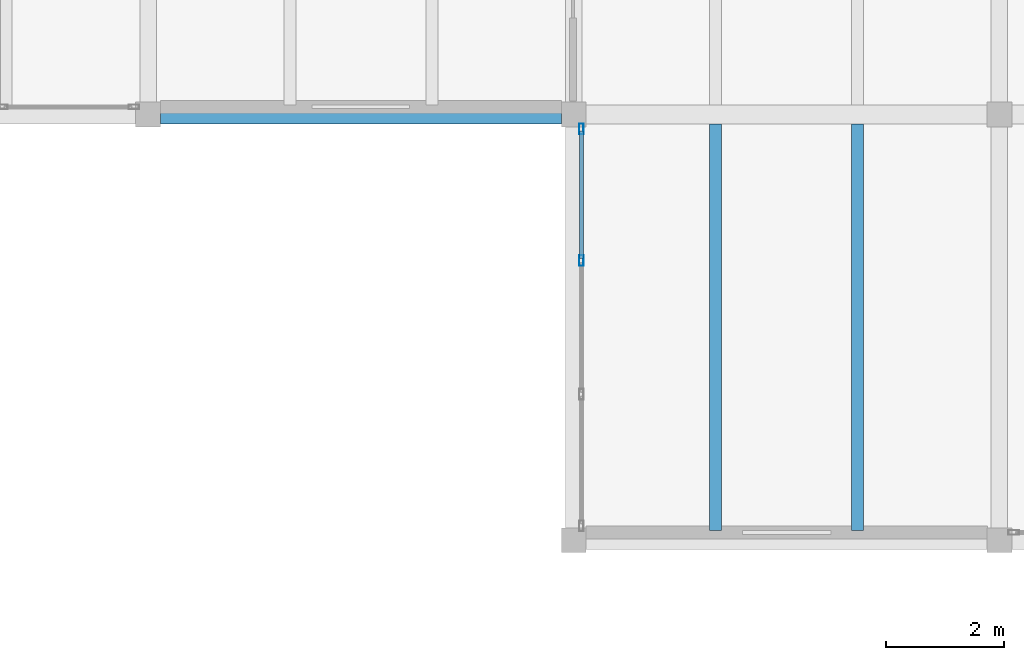
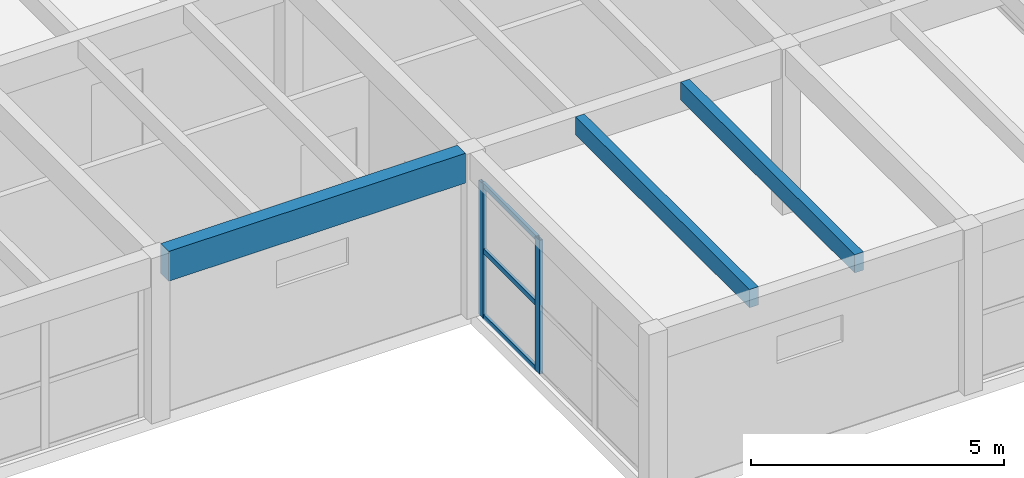
# One storey, part 41 of 68: 5 members, 3 beams, 1 element without a shape of its own.
"""IFC4 building model written with IfcOpenShell, lengths in metres."""

from ifc_helpers import new_model, si_unit, direction, frame, origin, origin_2d, place, context, subcontext, project, spatial, rectangle, hollow_rectangle, extrude, material, material_profile, profile_set, type_object, element, aggregate, save


model = new_model("IFC4")

# Units and contexts
model_context = context("Model", 3, precision=1e-05, world=origin(), true_north=direction((0.0, 1.0)))
body_context = subcontext(model_context, "Body", "Model", "MODEL_VIEW")
ifc_project = project(units=[si_unit("LENGTHUNIT", "METRE"), si_unit("AREAUNIT", "SQUARE_METRE"), si_unit("VOLUMEUNIT", "CUBIC_METRE"), si_unit("PLANEANGLEUNIT", "RADIAN"), si_unit("MASSUNIT", "GRAM", prefix="KILO")], contexts=[model_context])

# Site, building, storey
site_placement = place(None, origin())
site = spatial("IfcSite", under=ifc_project, at=site_placement, CompositionType="ELEMENT")
building_placement = place(site_placement, origin())
building = spatial("IfcBuilding", under=site, at=building_placement, Name="Bramvelor Terrace Health Centre", CompositionType="ELEMENT")
storey_placement = place(building_placement, frame((0.0, 0.0, 9.300048828125)))
storey = spatial("IfcBuildingStorey", under=building, at=storey_placement, Name="L03", CompositionType="ELEMENT", Elevation=9.300048828125)

# Beams
ifc_material_1 = material(Name="Glulam GL28h", Category="wood")
ifc_material_profile_1 = material_profile(ifc_material_1, rectangle(XDim=0.320068359375, YDim=0.719970703125, at=origin_2d()), Name="GL 320x720")
ifc_profile_set_1 = profile_set([ifc_material_profile_1], Name="Glulam GL28h")
beam_type_1 = type_object("IfcBeamType", Name="BM-GL-G720", PredefinedType="BEAM", material=ifc_profile_set_1)
beam_placement = place(storey_placement, frame((144.2099609375, 50.39990234375, 3.6298828125), z_axis=(1.0, 0.0, 0.0), x_axis=(0.0, 1.0, 0.0)))
element("IfcBeam", 1, at=beam_placement, inside=storey, type_object=beam_type_1, Name="L03 Floor Girder", PredefinedType="BEAM", context=body_context, shape_type="SweptSolid", body=[
    extrude(rectangle(XDim=0.320068359375, YDim=0.719970703125, at=origin_2d()), origin(), (0.0, 0.0, 1.0), 6.780029296875),
])
ifc_material_2 = material(Name="Glulam GL28h", Category="wood")
ifc_material_profile_2 = material_profile(ifc_material_2, rectangle(XDim=0.199951171875, YDim=0.43994140625, at=origin_2d()), Name="GL 200x440")
ifc_profile_set_2 = profile_set([ifc_material_profile_2], Name="Glulam GL28h")
beam_type_2 = type_object("IfcBeamType", Name="BM-GL-J440", PredefinedType="JOIST", material=ifc_profile_set_2)
for number, where, z_axis, x_axis, name in (
    (2, (153.60009765625, 43.360107421875, 3.77001953125), (0.0, 1.0, 0.0), (-1.0, 0.0, 0.0), "L03 Secondary Floor Joist"),
    (3, (156.0, 43.360107421875, 3.77001953125), (0.0, 1.0, 0.0), (-1.0, 0.0, 0.0), "L03 Secondary Floor Joist"),
):
    element("IfcBeam", number, at=place(storey_placement, frame(where, z_axis=z_axis, x_axis=x_axis)), inside=storey, type_object=beam_type_2, Name=name, PredefinedType="JOIST", context=body_context, shape_type="SweptSolid", body=[
        extrude(rectangle(XDim=0.199951171875, YDim=0.43994140625, at=origin_2d()), origin(), (0.0, 0.0, 1.0), 6.8798828125),
    ])

# Curtain wall, members
ifc_material_3 = material(Name="Anodized aluminium and double low-E glass", Category="aluminium")
curtain_wall_type = type_object("IfcCurtainWallType", Name="CW-SYS-27", PredefinedType="NOTDEFINED", material=ifc_material_3)
curtain_wall_placement = place(storey_placement, origin())
curtain_wall = element("IfcCurtainWall", 4, at=curtain_wall_placement, inside=storey, type_object=curtain_wall_type, Name="L03 Unitized Curtain Wall 169", PredefinedType="NOTDEFINED")
ifc_material_4 = material(Name="Anodized aluminium 6063-T6", Category="aluminium")
ifc_material_profile_3 = material_profile(ifc_material_4, hollow_rectangle(XDim=0.074951171875, YDim=0.179931640625, WallThickness=0.00341796875, at=origin_2d()), Name="ALU-MUL 75x180x3.5")
ifc_profile_set_3 = profile_set([ifc_material_profile_3], Name="Anodized aluminium 6063-T6")
member_type_1 = type_object("IfcMemberType", Name="CW-MUL-65x180", PredefinedType="MULLION", material=ifc_profile_set_3)
member_1_placement = place(storey_placement, frame((151.330078125, 47.931640625, 0.0), z_axis=(0.0, 0.0, 1.0), x_axis=(-1.0, 0.0, 0.0)))
member_1 = element("IfcMember", 5, at=member_1_placement, type_object=member_type_1, Name="CW-27 mullion 3", PredefinedType="MULLION", context=body_context, shape_type="SweptSolid", body=[
    extrude(hollow_rectangle(XDim=0.074951171875, YDim=0.179931640625, WallThickness=0.00341796875, at=origin_2d()), origin(), (0.0, 0.0, 1.0), 3.22998046875),
])
member_2_placement = place(storey_placement, frame((151.330078125, 50.157470703125, 0.0), z_axis=(0.0, 0.0, 1.0), x_axis=(-1.0, 0.0, 0.0)))
member_2 = element("IfcMember", 6, at=member_2_placement, type_object=member_type_1, Name="CW-27 mullion 4", PredefinedType="MULLION", context=body_context, shape_type="SweptSolid", body=[
    extrude(hollow_rectangle(XDim=0.074951171875, YDim=0.179931640625, WallThickness=0.00341796875, at=origin_2d()), origin(), (0.0, 0.0, 1.0), 3.22998046875),
])
ifc_material_5 = material(Name="Anodized aluminium 6063-T6", Category="aluminium")
ifc_material_profile_4 = material_profile(ifc_material_5, hollow_rectangle(XDim=0.06494140625, YDim=0.1201171875, WallThickness=0.0029296875, at=origin_2d()), Name="ALU-TRN 65x120x3.0")
ifc_profile_set_4 = profile_set([ifc_material_profile_4], Name="Anodized aluminium 6063-T6")
member_type_2 = type_object("IfcMemberType", Name="CW-TRN-65x150", PredefinedType="USERDEFINED", material=ifc_profile_set_4)
member_3_placement = place(storey_placement, frame((151.330078125, 47.96923828125, 0.032470703125), z_axis=(0.0, 1.0, 0.0), x_axis=(-1.0, 0.0, 0.0)))
member_3 = element("IfcMember", 7, at=member_3_placement, type_object=member_type_2, Name="CW-27 transom 3.1", ObjectType="TRANSOM", PredefinedType="USERDEFINED", context=body_context, shape_type="SweptSolid", body=[
    extrude(hollow_rectangle(XDim=0.06494140625, YDim=0.1201171875, WallThickness=0.0029296875, at=origin_2d()), origin(), (0.0, 0.0, 1.0), 2.15087890625),
])
member_4_placement = place(storey_placement, frame((151.330078125, 47.96923828125, 1.614990234375), z_axis=(0.0, 1.0, 0.0), x_axis=(-1.0, 0.0, 0.0)))
member_4 = element("IfcMember", 8, at=member_4_placement, type_object=member_type_2, Name="CW-27 transom 3.2", ObjectType="TRANSOM", PredefinedType="USERDEFINED", context=body_context, shape_type="SweptSolid", body=[
    extrude(hollow_rectangle(XDim=0.06494140625, YDim=0.1201171875, WallThickness=0.0029296875, at=origin_2d()), origin(), (0.0, 0.0, 1.0), 2.15087890625),
])
member_5_placement = place(storey_placement, frame((151.330078125, 47.96923828125, 3.197509765625), z_axis=(0.0, 1.0, 0.0), x_axis=(-1.0, 0.0, 0.0)))
member_5 = element("IfcMember", 9, at=member_5_placement, type_object=member_type_2, Name="CW-27 transom 3.3", ObjectType="TRANSOM", PredefinedType="USERDEFINED", context=body_context, shape_type="SweptSolid", body=[
    extrude(hollow_rectangle(XDim=0.06494140625, YDim=0.1201171875, WallThickness=0.0029296875, at=origin_2d()), origin(), (0.0, 0.0, 1.0), 2.15087890625),
])
aggregate(curtain_wall, [member_1, member_2, member_3, member_4, member_5])

save(model, "model.ifc")
